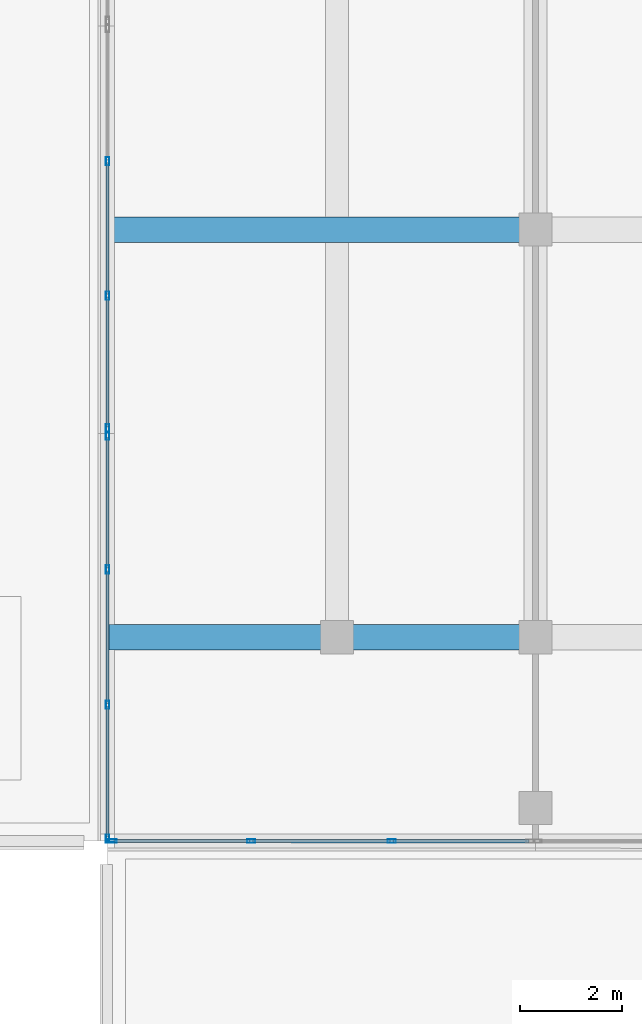
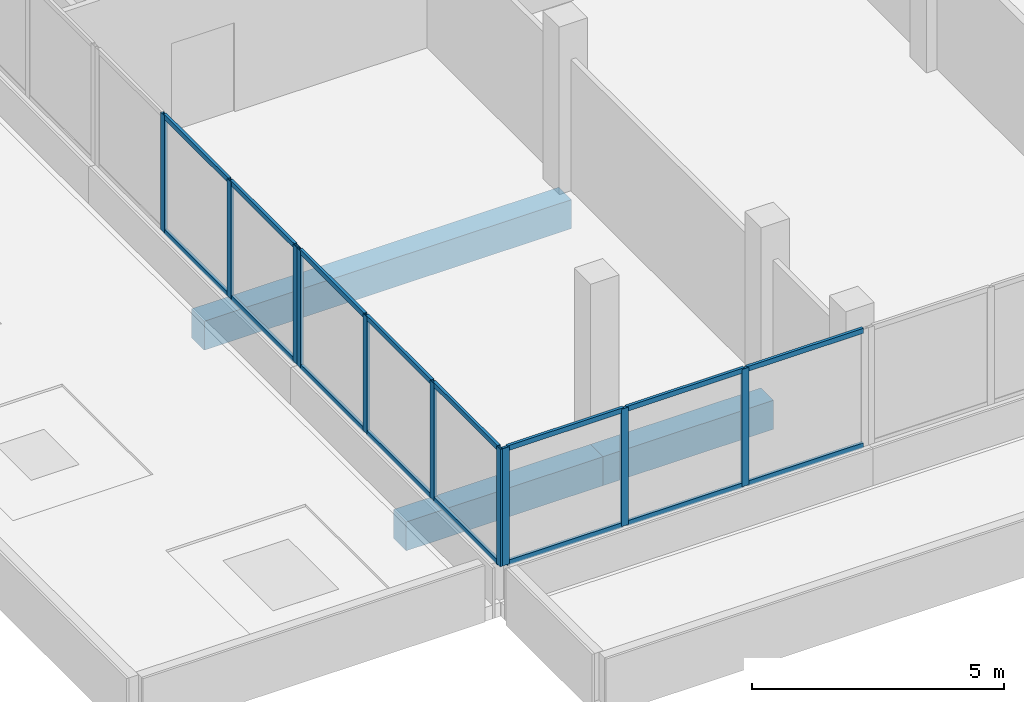
# One storey, part 2 of 78: 26 members, 3 beams, 3 elements without a shape of their own.
"""IFC4 building model written with IfcOpenShell, lengths in metres."""

from ifc_helpers import new_model, si_unit, direction, frame, origin, origin_2d, place, context, subcontext, project, spatial, rectangle, hollow_rectangle, extrude, material, material_profile, profile_set, type_object, element, aggregate, save


model = new_model("IFC4")

# Units and contexts
model_context = context("Model", 3, precision=1e-05, world=origin(), true_north=direction((0.0, 1.0)))
body_context = subcontext(model_context, "Body", "Model", "MODEL_VIEW")
ifc_project = project(units=[si_unit("LENGTHUNIT", "METRE"), si_unit("AREAUNIT", "SQUARE_METRE"), si_unit("VOLUMEUNIT", "CUBIC_METRE"), si_unit("PLANEANGLEUNIT", "RADIAN"), si_unit("MASSUNIT", "GRAM", prefix="KILO")], contexts=[model_context])

# Site, building, storey
site_placement = place(None, origin())
site = spatial("IfcSite", under=ifc_project, at=site_placement, CompositionType="ELEMENT")
building_placement = place(site_placement, origin())
building = spatial("IfcBuilding", under=site, at=building_placement, Name="Selatvlak General Hospital", CompositionType="ELEMENT")
storey_placement = place(building_placement, frame((0.0, 0.0, 23.25)))
storey = spatial("IfcBuildingStorey", under=building, at=storey_placement, Name="L05", CompositionType="ELEMENT", Elevation=23.25)

# Beams
ifc_material_1 = material(Name="Concrete C40/50", Category="concrete")
ifc_material_profile_1 = material_profile(ifc_material_1, rectangle(XDim=0.5, YDim=0.699951171875, at=origin_2d()), Name="RC-BM 500x700")
ifc_profile_set_1 = profile_set([ifc_material_profile_1], Name="Concrete C40/50")
beam_type = type_object("IfcBeamType", Name="BM-G03", PredefinedType="BEAM", material=ifc_profile_set_1)
beam_1_placement = place(storey_placement, frame((22.800048828125, 92.0, -0.6298828125), z_axis=(1.0, 0.0, 0.0), x_axis=(0.0, 1.0, 0.0)))
element("IfcBeam", 1, at=beam_1_placement, inside=storey, type_object=beam_type, Name="Beam BMR-L05-1901", PredefinedType="BEAM", context=body_context, shape_type="SweptSolid", body=[
    extrude(rectangle(XDim=0.5, YDim=0.699951171875, at=origin_2d()), origin(), (0.0, 0.0, 1.0), 4.5),
])
beam_2_placement = place(storey_placement, frame((27.300048828125, 92.0, -0.6298828125), z_axis=(1.0, 0.0, 0.0), x_axis=(0.0, 1.0, 0.0)))
element("IfcBeam", 2, at=beam_2_placement, inside=storey, type_object=beam_type, Name="Beam BMR-L05-1902", PredefinedType="BEAM", context=body_context, shape_type="SweptSolid", body=[
    extrude(rectangle(XDim=0.5, YDim=0.699951171875, at=origin_2d()), origin(), (0.0, 0.0, 1.0), 3.89990234375),
])
beam_3_placement = place(storey_placement, frame((22.800048828125, 100.0, -0.6298828125), z_axis=(1.0, 0.0, 0.0), x_axis=(0.0, 1.0, 0.0)))
element("IfcBeam", 3, at=beam_3_placement, inside=storey, type_object=beam_type, Name="Beam BMR-L05-1925", PredefinedType="BEAM", context=body_context, shape_type="SweptSolid", body=[
    extrude(rectangle(XDim=0.5, YDim=0.699951171875, at=origin_2d()), origin(), (0.0, 0.0, 1.0), 8.39990234375),
])

# Curtain wall, members
ifc_material_2 = material(Name="Solar-control Low-E double glazing", Category="glass")
curtain_wall_type_1 = type_object("IfcCurtainWallType", Name="CW-CW-01", PredefinedType="USERDEFINED", material=ifc_material_2)
curtain_wall_1_placement = place(storey_placement, origin())
curtain_wall_1 = element("IfcCurtainWall", 4, at=curtain_wall_1_placement, inside=storey, type_object=curtain_wall_type_1, Name="Glazed facade curtain wall CW-L05-0543", ObjectType="UNITISED CURTAIN WALL", PredefinedType="USERDEFINED")
ifc_material_3 = material(Name="Dark anodised aluminium mullion", Category="aluminium")
ifc_material_profile_2 = material_profile(ifc_material_3, hollow_rectangle(XDim=0.06494140625, YDim=0.159912109375, WallThickness=0.00390625, at=origin_2d()), Name="AL-MUL 65x160x4")
ifc_profile_set_2 = profile_set([ifc_material_profile_2], Name="Dark anodised aluminium mullion")
member_type_1 = type_object("IfcMemberType", Name="CWM-01", PredefinedType="MULLION", material=ifc_profile_set_2)
member_1_placement = place(storey_placement, frame((22.800048828125, 88.047607421875, 0.93994140625), z_axis=(0.0, 0.0, 1.0), x_axis=(-1.0, 0.0, 0.0)))
member_1 = element("IfcMember", 5, at=member_1_placement, type_object=member_type_1, Name="CW-01 mullion 1", PredefinedType="MULLION", context=body_context, shape_type="SweptSolid", body=[
    extrude(hollow_rectangle(XDim=0.06494140625, YDim=0.159912109375, WallThickness=0.00390625, at=origin_2d()), origin(), (0.0, 0.0, 1.0), 2.8349609375),
])
member_2_placement = place(storey_placement, frame((22.800048828125, 90.671630859375, 0.93994140625), z_axis=(0.0, 0.0, 1.0), x_axis=(-1.0, 0.0, 0.0)))
member_2 = element("IfcMember", 6, at=member_2_placement, type_object=member_type_1, Name="CW-01 mullion 2", PredefinedType="MULLION", context=body_context, shape_type="SweptSolid", body=[
    extrude(hollow_rectangle(XDim=0.06494140625, YDim=0.159912109375, WallThickness=0.00390625, at=origin_2d()), origin(), (0.0, 0.0, 1.0), 2.8349609375),
])
member_3_placement = place(storey_placement, frame((22.800048828125, 93.328369140625, 0.93994140625), z_axis=(0.0, 0.0, 1.0), x_axis=(-1.0, 0.0, 0.0)))
member_3 = element("IfcMember", 7, at=member_3_placement, type_object=member_type_1, Name="CW-01 mullion 3", PredefinedType="MULLION", context=body_context, shape_type="SweptSolid", body=[
    extrude(hollow_rectangle(XDim=0.06494140625, YDim=0.159912109375, WallThickness=0.00390625, at=origin_2d()), origin(), (0.0, 0.0, 1.0), 2.8349609375),
])
member_4_placement = place(storey_placement, frame((22.800048828125, 95.952392578125, 0.93994140625), z_axis=(0.0, 0.0, 1.0), x_axis=(-1.0, 0.0, 0.0)))
member_4 = element("IfcMember", 8, at=member_4_placement, type_object=member_type_1, Name="CW-01 mullion 4", PredefinedType="MULLION", context=body_context, shape_type="SweptSolid", body=[
    extrude(hollow_rectangle(XDim=0.06494140625, YDim=0.159912109375, WallThickness=0.00390625, at=origin_2d()), origin(), (0.0, 0.0, 1.0), 2.8349609375),
])

curtain_wall_type_2 = type_object("IfcCurtainWallType", Name="CW-CW-02", PredefinedType="USERDEFINED", material=ifc_material_2)
curtain_wall_2_placement = place(storey_placement, origin())
curtain_wall_2 = element("IfcCurtainWall", 9, at=curtain_wall_2_placement, inside=storey, type_object=curtain_wall_type_2, Name="Glazed facade curtain wall CW-L05-0544", ObjectType="UNITISED CURTAIN WALL", PredefinedType="USERDEFINED")
member_5_placement = place(storey_placement, frame((22.800048828125, 96.097412109375, 0.93994140625), z_axis=(0.0, 0.0, 1.0), x_axis=(-1.0, 0.0, 0.0)))
member_5 = element("IfcMember", 10, at=member_5_placement, type_object=member_type_1, Name="CW-02 mullion 1", PredefinedType="MULLION", context=body_context, shape_type="SweptSolid", body=[
    extrude(hollow_rectangle(XDim=0.06494140625, YDim=0.159912109375, WallThickness=0.00390625, at=origin_2d()), origin(), (0.0, 0.0, 1.0), 2.8349609375),
])
member_6_placement = place(storey_placement, frame((22.800048828125, 98.70458984375, 0.93994140625), z_axis=(0.0, 0.0, 1.0), x_axis=(-1.0, 0.0, 0.0)))
member_6 = element("IfcMember", 11, at=member_6_placement, type_object=member_type_1, Name="CW-02 mullion 2", PredefinedType="MULLION", context=body_context, shape_type="SweptSolid", body=[
    extrude(hollow_rectangle(XDim=0.06494140625, YDim=0.159912109375, WallThickness=0.00390625, at=origin_2d()), origin(), (0.0, 0.0, 1.0), 2.8349609375),
])
member_7_placement = place(storey_placement, frame((22.800048828125, 101.34423828125, 0.93994140625), z_axis=(0.0, 0.0, 1.0), x_axis=(-1.0, 0.0, 0.0)))
member_7 = element("IfcMember", 12, at=member_7_placement, type_object=member_type_1, Name="CW-02 mullion 3", PredefinedType="MULLION", context=body_context, shape_type="SweptSolid", body=[
    extrude(hollow_rectangle(XDim=0.06494140625, YDim=0.159912109375, WallThickness=0.00390625, at=origin_2d()), origin(), (0.0, 0.0, 1.0), 2.8349609375),
])

curtain_wall_3_placement = place(storey_placement, origin())
curtain_wall_3 = element("IfcCurtainWall", 13, at=curtain_wall_3_placement, inside=storey, type_object=curtain_wall_type_1, Name="Glazed facade curtain wall CW-L05-0593", ObjectType="UNITISED CURTAIN WALL", PredefinedType="USERDEFINED")
member_8_placement = place(storey_placement, frame((28.37841796875, 87.997314453125, 0.93994140625), z_axis=(0.0, 0.0, 1.0), x_axis=(-0.000483675886, -0.999999883029, 0.0)))
member_8 = element("IfcMember", 14, at=member_8_placement, type_object=member_type_1, Name="CW-01 mullion 2", PredefinedType="MULLION", context=body_context, shape_type="SweptSolid", body=[
    extrude(hollow_rectangle(XDim=0.06494140625, YDim=0.159912109375, WallThickness=0.00390625, at=origin_2d()), origin(), (0.0, 0.0, 1.0), 2.8349609375),
])
member_9_placement = place(storey_placement, frame((25.62158203125, 87.998779296875, 0.93994140625), z_axis=(0.0, 0.0, 1.0), x_axis=(-0.000483675886, -0.999999883029, 0.0)))
member_9 = element("IfcMember", 15, at=member_9_placement, type_object=member_type_1, Name="CW-01 mullion 3", PredefinedType="MULLION", context=body_context, shape_type="SweptSolid", body=[
    extrude(hollow_rectangle(XDim=0.06494140625, YDim=0.159912109375, WallThickness=0.00390625, at=origin_2d()), origin(), (0.0, 0.0, 1.0), 2.8349609375),
])
member_10_placement = place(storey_placement, frame((22.8974609375, 88.0, 0.93994140625), z_axis=(0.0, 0.0, 1.0), x_axis=(-0.000483675886, -0.999999883029, 0.0)))
member_10 = element("IfcMember", 16, at=member_10_placement, type_object=member_type_1, Name="CW-01 mullion 4", PredefinedType="MULLION", context=body_context, shape_type="SweptSolid", body=[
    extrude(hollow_rectangle(XDim=0.06494140625, YDim=0.159912109375, WallThickness=0.00390625, at=origin_2d()), origin(), (0.0, 0.0, 1.0), 2.8349609375),
])

# Member
ifc_material_profile_3 = material_profile(ifc_material_3, hollow_rectangle(XDim=0.06494140625, YDim=0.1201171875, WallThickness=0.00390625, at=origin_2d()), Name="AL-TRN 65x120x4")
ifc_profile_set_3 = profile_set([ifc_material_profile_3], Name="Dark anodised aluminium mullion")
member_type_2 = type_object("IfcMemberType", Name="CWT-01", PredefinedType="USERDEFINED", material=ifc_profile_set_3)
member_11_placement = place(storey_placement, frame((22.800048828125, 88.080078125, 0.972412109375), z_axis=(0.0, 1.0, 0.0), x_axis=(-1.0, 0.0, 0.0)))
member_11 = element("IfcMember", 17, at=member_11_placement, type_object=member_type_2, Name="CW-01 transom 1.1", ObjectType="TRANSOM", PredefinedType="USERDEFINED", context=body_context, shape_type="SweptSolid", body=[
    extrude(hollow_rectangle(XDim=0.06494140625, YDim=0.1201171875, WallThickness=0.00390625, at=origin_2d()), origin(), (0.0, 0.0, 1.0), 2.55908203125),
])

member_12_placement = place(storey_placement, frame((22.800048828125, 88.080078125, 3.742431640625), z_axis=(0.0, 1.0, 0.0), x_axis=(-1.0, 0.0, 0.0)))
member_12 = element("IfcMember", 18, at=member_12_placement, type_object=member_type_2, Name="CW-01 transom 1.2", ObjectType="TRANSOM", PredefinedType="USERDEFINED", context=body_context, shape_type="SweptSolid", body=[
    extrude(hollow_rectangle(XDim=0.06494140625, YDim=0.1201171875, WallThickness=0.00390625, at=origin_2d()), origin(), (0.0, 0.0, 1.0), 2.55908203125),
])

member_13_placement = place(storey_placement, frame((22.800048828125, 90.7041015625, 0.972412109375), z_axis=(0.0, 1.0, 0.0), x_axis=(-1.0, 0.0, 0.0)))
member_13 = element("IfcMember", 19, at=member_13_placement, type_object=member_type_2, Name="CW-01 transom 2.1", ObjectType="TRANSOM", PredefinedType="USERDEFINED", context=body_context, shape_type="SweptSolid", body=[
    extrude(hollow_rectangle(XDim=0.06494140625, YDim=0.1201171875, WallThickness=0.00390625, at=origin_2d()), origin(), (0.0, 0.0, 1.0), 2.591796875),
])

member_14_placement = place(storey_placement, frame((22.800048828125, 90.7041015625, 3.742431640625), z_axis=(0.0, 1.0, 0.0), x_axis=(-1.0, 0.0, 0.0)))
member_14 = element("IfcMember", 20, at=member_14_placement, type_object=member_type_2, Name="CW-01 transom 2.2", ObjectType="TRANSOM", PredefinedType="USERDEFINED", context=body_context, shape_type="SweptSolid", body=[
    extrude(hollow_rectangle(XDim=0.06494140625, YDim=0.1201171875, WallThickness=0.00390625, at=origin_2d()), origin(), (0.0, 0.0, 1.0), 2.591796875),
])

member_15_placement = place(storey_placement, frame((22.800048828125, 93.36083984375, 0.972412109375), z_axis=(0.0, 1.0, 0.0), x_axis=(-1.0, 0.0, 0.0)))
member_15 = element("IfcMember", 21, at=member_15_placement, type_object=member_type_2, Name="CW-01 transom 3.1", ObjectType="TRANSOM", PredefinedType="USERDEFINED", context=body_context, shape_type="SweptSolid", body=[
    extrude(hollow_rectangle(XDim=0.06494140625, YDim=0.1201171875, WallThickness=0.00390625, at=origin_2d()), origin(), (0.0, 0.0, 1.0), 2.55908203125),
])

member_16_placement = place(storey_placement, frame((22.800048828125, 93.36083984375, 3.742431640625), z_axis=(0.0, 1.0, 0.0), x_axis=(-1.0, 0.0, 0.0)))
member_16 = element("IfcMember", 22, at=member_16_placement, type_object=member_type_2, Name="CW-01 transom 3.2", ObjectType="TRANSOM", PredefinedType="USERDEFINED", context=body_context, shape_type="SweptSolid", body=[
    extrude(hollow_rectangle(XDim=0.06494140625, YDim=0.1201171875, WallThickness=0.00390625, at=origin_2d()), origin(), (0.0, 0.0, 1.0), 2.55908203125),
])

aggregate(curtain_wall_1, [member_1, member_2, member_3, member_4, member_11, member_12, member_13, member_14, member_15, member_16])

member_17_placement = place(storey_placement, frame((22.800048828125, 96.1298828125, 0.972412109375), z_axis=(0.0, 1.0, 0.0), x_axis=(-1.0, 0.0, 0.0)))
member_17 = element("IfcMember", 23, at=member_17_placement, type_object=member_type_2, Name="CW-02 transom 1.1", ObjectType="TRANSOM", PredefinedType="USERDEFINED", context=body_context, shape_type="SweptSolid", body=[
    extrude(hollow_rectangle(XDim=0.06494140625, YDim=0.1201171875, WallThickness=0.00390625, at=origin_2d()), origin(), (0.0, 0.0, 1.0), 2.542236328125),
])

member_18_placement = place(storey_placement, frame((22.800048828125, 96.1298828125, 3.742431640625), z_axis=(0.0, 1.0, 0.0), x_axis=(-1.0, 0.0, 0.0)))
member_18 = element("IfcMember", 24, at=member_18_placement, type_object=member_type_2, Name="CW-02 transom 1.2", ObjectType="TRANSOM", PredefinedType="USERDEFINED", context=body_context, shape_type="SweptSolid", body=[
    extrude(hollow_rectangle(XDim=0.06494140625, YDim=0.1201171875, WallThickness=0.00390625, at=origin_2d()), origin(), (0.0, 0.0, 1.0), 2.542236328125),
])

member_19_placement = place(storey_placement, frame((22.800048828125, 98.737060546875, 0.972412109375), z_axis=(0.0, 1.0, 0.0), x_axis=(-1.0, 0.0, 0.0)))
member_19 = element("IfcMember", 25, at=member_19_placement, type_object=member_type_2, Name="CW-02 transom 2.1", ObjectType="TRANSOM", PredefinedType="USERDEFINED", context=body_context, shape_type="SweptSolid", body=[
    extrude(hollow_rectangle(XDim=0.06494140625, YDim=0.1201171875, WallThickness=0.00390625, at=origin_2d()), origin(), (0.0, 0.0, 1.0), 2.57470703125),
])

member_20_placement = place(storey_placement, frame((22.800048828125, 98.737060546875, 3.742431640625), z_axis=(0.0, 1.0, 0.0), x_axis=(-1.0, 0.0, 0.0)))
member_20 = element("IfcMember", 26, at=member_20_placement, type_object=member_type_2, Name="CW-02 transom 2.2", ObjectType="TRANSOM", PredefinedType="USERDEFINED", context=body_context, shape_type="SweptSolid", body=[
    extrude(hollow_rectangle(XDim=0.06494140625, YDim=0.1201171875, WallThickness=0.00390625, at=origin_2d()), origin(), (0.0, 0.0, 1.0), 2.57470703125),
])

aggregate(curtain_wall_2, [member_5, member_6, member_7, member_17, member_18, member_19, member_20])

member_21_placement = place(storey_placement, frame((31.070068359375, 87.99609375, 0.972412109375), z_axis=(-0.999999894635, 0.000459052467, 0.0), x_axis=(-0.000459052467, -0.999999894635, 0.0)))
member_21 = element("IfcMember", 27, at=member_21_placement, type_object=member_type_2, Name="CW-01 transom 1.1", ObjectType="TRANSOM", PredefinedType="USERDEFINED", context=body_context, shape_type="SweptSolid", body=[
    extrude(hollow_rectangle(XDim=0.06494140625, YDim=0.1201171875, WallThickness=0.00390625, at=origin_2d()), origin(), (0.0, 0.0, 1.0), 2.6591796875),
])

member_22_placement = place(storey_placement, frame((31.070068359375, 87.99609375, 3.742431640625), z_axis=(-0.999999894635, 0.000459052467, 0.0), x_axis=(-0.000459052467, -0.999999894635, 0.0)))
member_22 = element("IfcMember", 28, at=member_22_placement, type_object=member_type_2, Name="CW-01 transom 1.2", ObjectType="TRANSOM", PredefinedType="USERDEFINED", context=body_context, shape_type="SweptSolid", body=[
    extrude(hollow_rectangle(XDim=0.06494140625, YDim=0.1201171875, WallThickness=0.00390625, at=origin_2d()), origin(), (0.0, 0.0, 1.0), 2.6591796875),
])

member_23_placement = place(storey_placement, frame((28.345947265625, 87.997314453125, 0.972412109375), z_axis=(-0.999999897181, 0.000453473561, 0.0), x_axis=(-0.000453473561, -0.999999897181, 0.0)))
member_23 = element("IfcMember", 29, at=member_23_placement, type_object=member_type_2, Name="CW-01 transom 2.1", ObjectType="TRANSOM", PredefinedType="USERDEFINED", context=body_context, shape_type="SweptSolid", body=[
    extrude(hollow_rectangle(XDim=0.06494140625, YDim=0.1201171875, WallThickness=0.00390625, at=origin_2d()), origin(), (0.0, 0.0, 1.0), 2.69189453125),
])

member_24_placement = place(storey_placement, frame((28.345947265625, 87.997314453125, 3.742431640625), z_axis=(-0.999999897181, 0.000453473561, 0.0), x_axis=(-0.000453473561, -0.999999897181, 0.0)))
member_24 = element("IfcMember", 30, at=member_24_placement, type_object=member_type_2, Name="CW-01 transom 2.2", ObjectType="TRANSOM", PredefinedType="USERDEFINED", context=body_context, shape_type="SweptSolid", body=[
    extrude(hollow_rectangle(XDim=0.06494140625, YDim=0.1201171875, WallThickness=0.00390625, at=origin_2d()), origin(), (0.0, 0.0, 1.0), 2.69189453125),
])

member_25_placement = place(storey_placement, frame((25.589111328125, 87.998779296875, 0.972412109375), z_axis=(-0.999999894635, 0.000459052467, 0.0), x_axis=(-0.000459052467, -0.999999894635, 0.0)))
member_25 = element("IfcMember", 31, at=member_25_placement, type_object=member_type_2, Name="CW-01 transom 3.1", ObjectType="TRANSOM", PredefinedType="USERDEFINED", context=body_context, shape_type="SweptSolid", body=[
    extrude(hollow_rectangle(XDim=0.06494140625, YDim=0.1201171875, WallThickness=0.00390625, at=origin_2d()), origin(), (0.0, 0.0, 1.0), 2.6591796875),
])

member_26_placement = place(storey_placement, frame((25.589111328125, 87.998779296875, 3.742431640625), z_axis=(-0.999999894635, 0.000459052467, 0.0), x_axis=(-0.000459052467, -0.999999894635, 0.0)))
member_26 = element("IfcMember", 32, at=member_26_placement, type_object=member_type_2, Name="CW-01 transom 3.2", ObjectType="TRANSOM", PredefinedType="USERDEFINED", context=body_context, shape_type="SweptSolid", body=[
    extrude(hollow_rectangle(XDim=0.06494140625, YDim=0.1201171875, WallThickness=0.00390625, at=origin_2d()), origin(), (0.0, 0.0, 1.0), 2.6591796875),
])

aggregate(curtain_wall_3, [member_8, member_9, member_10, member_21, member_22, member_23, member_24, member_25, member_26])

save(model, "model.ifc")
